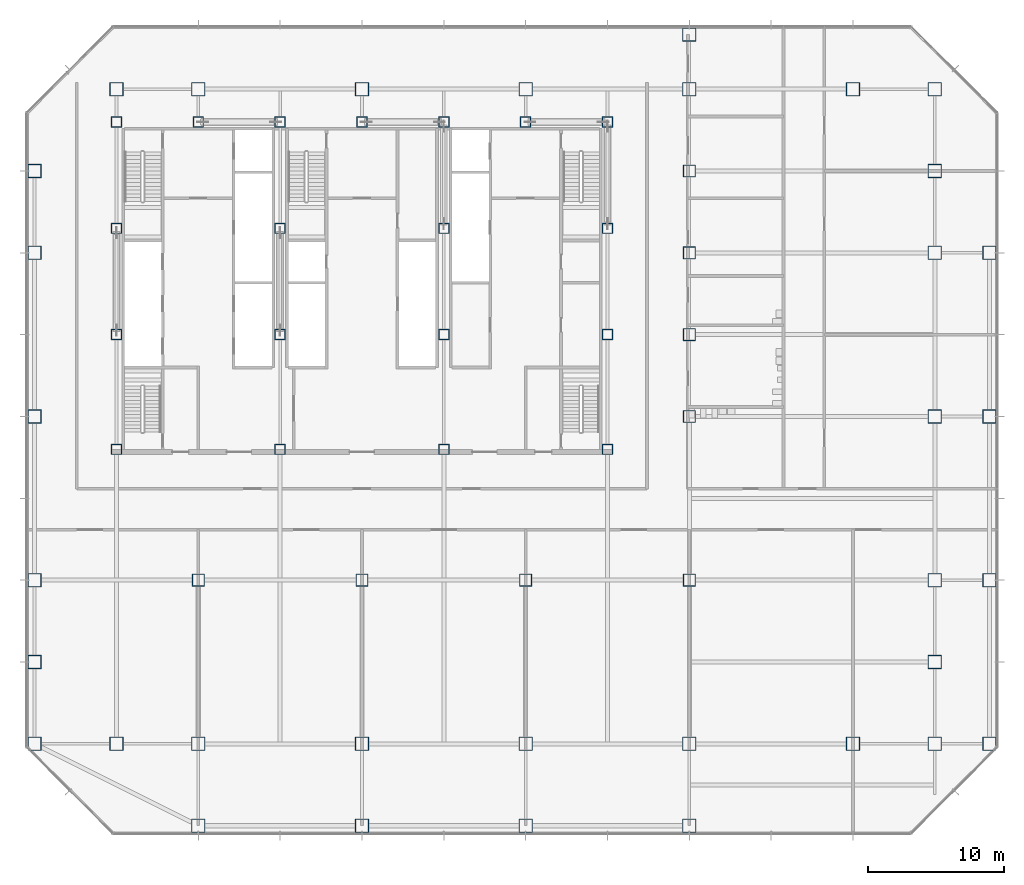
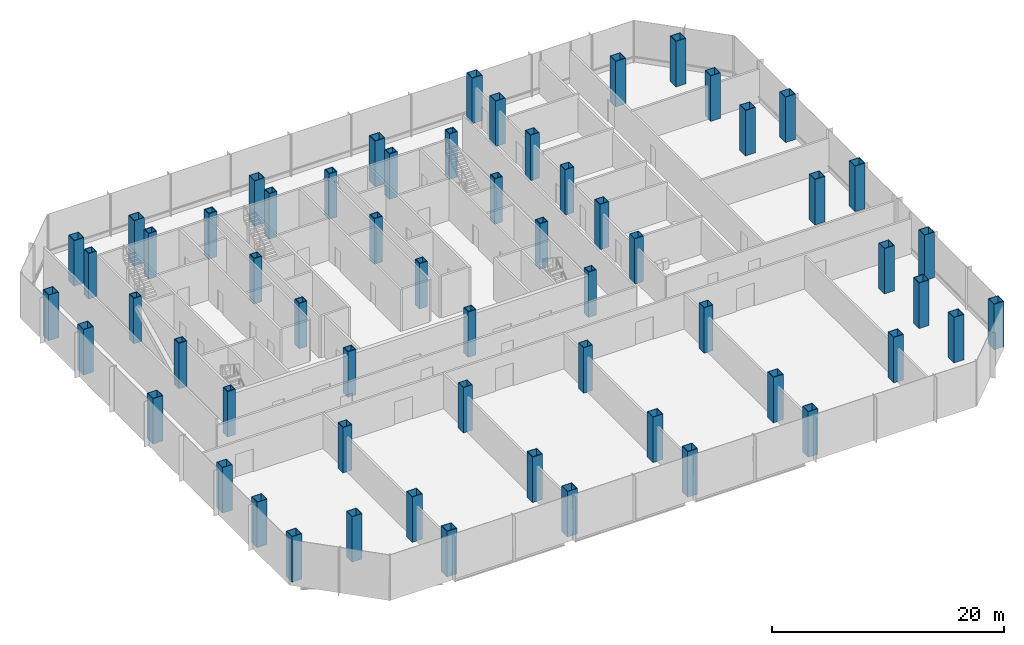
# One storey, part 1 of 33: 61 columns.
"""IFC4 building model written with IfcOpenShell, lengths in metres."""

from ifc_helpers import new_model, si_unit, direction, frame, origin, origin_2d, place, context, subcontext, project, spatial, hollow_rectangle, extrude, material, material_profile, profile_set, type_object, element, save


model = new_model("IFC4")

# Units and contexts
model_context = context("Model", 3, precision=1e-05, world=origin(), true_north=direction((0.0, 1.0)))
body_context = subcontext(model_context, "Body", "Model", "MODEL_VIEW")
ifc_project = project(units=[si_unit("LENGTHUNIT", "METRE"), si_unit("AREAUNIT", "SQUARE_METRE"), si_unit("VOLUMEUNIT", "CUBIC_METRE"), si_unit("PLANEANGLEUNIT", "RADIAN"), si_unit("MASSUNIT", "GRAM", prefix="KILO")], contexts=[model_context])

# Site, building, storey
site_placement = place(None, origin())
site = spatial("IfcSite", under=ifc_project, at=site_placement, CompositionType="ELEMENT")
building_placement = place(site_placement, origin())
building = spatial("IfcBuilding", under=site, at=building_placement, Name="Sorahane Residences", CompositionType="ELEMENT")
storey_placement = place(building_placement, frame((0.0, 0.0, 30.0)))
storey = spatial("IfcBuildingStorey", under=building, at=storey_placement, Name="L04", CompositionType="ELEMENT", Elevation=30.0)

# Columns
ifc_material_1 = material(Name="Steel Q420GJ", Category="steel")
ifc_material_profile_1 = material_profile(ifc_material_1, hollow_rectangle(XDim=1.0, YDim=1.0, WallThickness=0.050048828125, at=origin_2d()), Name="BOX 1000x1000x50")
ifc_profile_set_1 = profile_set([ifc_material_profile_1], Name="Steel Q420GJ")
column_type_1 = type_object("IfcColumnType", Name="Steel box column BOX 1000x1000x50 Q420GJ", PredefinedType="COLUMN", material=ifc_profile_set_1)
for number, where, z_axis, x_axis, name in (
    (1, (0.0, 0.0, 0.0), (0.0, 0.0, 1.0), (1.0, 0.0, 0.0), "Column L04 0/0"),
    (2, (0.0, 6.0, 0.0), (0.0, 0.0, 1.0), (1.0, 0.0, 0.0), "Column L04 m0/6"),
    (3, (0.0, 12.0, 0.0), (0.0, 0.0, 1.0), (1.0, 0.0, 0.0), "Column L04 m0/12"),
    (4, (0.0, 24.0, 0.0), (0.0, 0.0, 1.0), (1.0, 0.0, 0.0), "Column L04 m0/24"),
    (5, (0.0, 36.0, 0.0), (0.0, 0.0, 1.0), (1.0, 0.0, 0.0), "Column L04 m0/36"),
    (6, (0.0, 42.0, 0.0), (0.0, 0.0, 1.0), (1.0, 0.0, 0.0), "Column L04 m0/42"),
    (7, (6.0, 0.0, 0.0), (0.0, 0.0, 1.0), (1.0, 0.0, 0.0), "Column L04 6/0"),
    (8, (6.0, 48.0, 0.0), (0.0, 0.0, 1.0), (1.0, 0.0, 0.0), "Column L04 6/48"),
    (9, (12.0, -6.0, 0.0), (0.0, 0.0, 1.0), (1.0, 0.0, 0.0), "Column L04 12/m6"),
    (10, (12.0, 0.0, 0.0), (0.0, 0.0, 1.0), (1.0, 0.0, 0.0), "Column L04 12/0"),
    (11, (12.0, 48.0, 0.0), (0.0, 0.0, 1.0), (1.0, 0.0, 0.0), "Column L04 12/48"),
    (12, (24.0, -6.0, 0.0), (0.0, 0.0, 1.0), (1.0, 0.0, 0.0), "Column L04 24/m6"),
    (13, (24.0, 0.0, 0.0), (0.0, 0.0, 1.0), (1.0, 0.0, 0.0), "Column L04 24/0"),
    (14, (24.0, 48.0, 0.0), (0.0, 0.0, 1.0), (1.0, 0.0, 0.0), "Column L04 24/48"),
    (15, (36.0, -6.0, 0.0), (0.0, 0.0, 1.0), (1.0, 0.0, 0.0), "Column L04 36/m6"),
    (16, (36.0, 0.0, 0.0), (0.0, 0.0, 1.0), (1.0, 0.0, 0.0), "Column L04 36/0"),
    (17, (36.0, 48.0, 0.0), (0.0, 0.0, 1.0), (1.0, 0.0, 0.0), "Column L04 36/48"),
    (18, (48.0, -6.0, 0.0), (0.0, 0.0, 1.0), (1.0, 0.0, 0.0), "Column L04 48/m6"),
    (19, (48.0, 0.0, 0.0), (0.0, 0.0, 1.0), (1.0, 0.0, 0.0), "Column L04 48/0"),
    (20, (48.0, 48.0, 0.0), (0.0, 0.0, 1.0), (1.0, 0.0, 0.0), "Column L04 48/48"),
    (21, (48.0, 52.0, 0.0), (0.0, 0.0, 1.0), (1.0, 0.0, 0.0), "Column L04 48/52"),
    (22, (60.0, 0.0, 0.0), (0.0, 0.0, 1.0), (1.0, 0.0, 0.0), "Column L04 60/0"),
    (23, (60.0, 48.0, 0.0), (0.0, 0.0, 1.0), (1.0, 0.0, 0.0), "Column L04 60/48"),
    (24, (66.0, 0.0, 0.0), (0.0, 0.0, 1.0), (1.0, 0.0, 0.0), "Column L04 66/0"),
    (25, (66.0, 6.0, 0.0), (0.0, 0.0, 1.0), (1.0, 0.0, 0.0), "Column L04 66/6"),
    (26, (66.0, 12.0, 0.0), (0.0, 0.0, 1.0), (1.0, 0.0, 0.0), "Column L04 66/12"),
    (27, (66.0, 24.0, 0.0), (0.0, 0.0, 1.0), (1.0, 0.0, 0.0), "Column L04 66/24"),
    (28, (66.0, 36.0, 0.0), (0.0, 0.0, 1.0), (1.0, 0.0, 0.0), "Column L04 66/36"),
    (29, (66.0, 42.0, 0.0), (0.0, 0.0, 1.0), (1.0, 0.0, 0.0), "Column L04 66/42"),
    (30, (66.0, 48.0, 0.0), (0.0, 0.0, 1.0), (1.0, 0.0, 0.0), "Column L04 66/48"),
    (31, (70.0, 0.0, 0.0), (0.0, 0.0, 1.0), (1.0, 0.0, 0.0), "Column L04 70/0"),
    (32, (70.0, 12.0, 0.0), (0.0, 0.0, 1.0), (1.0, 0.0, 0.0), "Column L04 70/12"),
    (33, (70.0, 24.0, 0.0), (0.0, 0.0, 1.0), (1.0, 0.0, 0.0), "Column L04 70/24"),
    (34, (70.0, 36.0, 0.0), (0.0, 0.0, 1.0), (1.0, 0.0, 0.0), "Column L04 70/36"),
):
    element("IfcColumn", number, at=place(storey_placement, frame(where, z_axis=z_axis, x_axis=x_axis)), inside=storey, type_object=column_type_1, Name=name, PredefinedType="COLUMN", context=body_context, shape_type="SweptSolid", body=[
        extrude(hollow_rectangle(XDim=1.0, YDim=1.0, WallThickness=0.050048828125, at=origin_2d()), origin(), (0.0, 0.0, 1.0), 4.800048828125),
    ])
ifc_material_2 = material(Name="Steel Q420GJ", Category="steel")
ifc_material_profile_2 = material_profile(ifc_material_2, hollow_rectangle(XDim=0.800048828125, YDim=0.800048828125, WallThickness=0.070068359375, at=origin_2d()), Name="BOX 800x800x70")
ifc_profile_set_2 = profile_set([ifc_material_profile_2], Name="Steel Q420GJ")
column_type_2 = type_object("IfcColumnType", Name="Steel box column BOX 800x800x70 Q420GJ", PredefinedType="COLUMN", material=ifc_profile_set_2)
for number, where, z_axis, x_axis, name in (
    (35, (6.0, 21.60009765625, 0.0), (0.0, 0.0, 1.0), (1.0, 0.0, 0.0), "Column L04 6/21.6"),
    (36, (6.0, 30.0, 0.0), (0.0, 0.0, 1.0), (1.0, 0.0, 0.0), "Column L04 6/30"),
    (37, (6.0, 37.800048828125, 0.0), (0.0, 0.0, 1.0), (1.0, 0.0, 0.0), "Column L04 6/37.8"),
    (38, (6.0, 45.60009765625, 0.0), (0.0, 0.0, 1.0), (1.0, 0.0, 0.0), "Column L04 6/45.6"),
    (39, (12.0, 45.60009765625, 0.0), (0.0, 0.0, 1.0), (1.0, 0.0, 0.0), "Column L04 12/45.6"),
    (40, (18.0, 21.60009765625, 0.0), (0.0, 0.0, 1.0), (1.0, 0.0, 0.0), "Column L04 18/21.6"),
    (41, (18.0, 30.0, 0.0), (0.0, 0.0, 1.0), (1.0, 0.0, 0.0), "Column L04 18/30"),
    (42, (18.0, 37.800048828125, 0.0), (0.0, 0.0, 1.0), (1.0, 0.0, 0.0), "Column L04 18/37.8"),
    (43, (18.0, 45.60009765625, 0.0), (0.0, 0.0, 1.0), (1.0, 0.0, 0.0), "Column L04 18/45.6"),
    (44, (24.0, 45.60009765625, 0.0), (0.0, 0.0, 1.0), (1.0, 0.0, 0.0), "Column L04 24/45.6"),
    (45, (30.0, 21.60009765625, 0.0), (0.0, 0.0, 1.0), (1.0, 0.0, 0.0), "Column L04 30/21.6"),
    (46, (30.0, 30.0, 0.0), (0.0, 0.0, 1.0), (1.0, 0.0, 0.0), "Column L04 30/30"),
    (47, (30.0, 37.800048828125, 0.0), (0.0, 0.0, 1.0), (1.0, 0.0, 0.0), "Column L04 30/37.8"),
    (48, (30.0, 45.60009765625, 0.0), (0.0, 0.0, 1.0), (1.0, 0.0, 0.0), "Column L04 30/45.6"),
    (49, (36.0, 45.60009765625, 0.0), (0.0, 0.0, 1.0), (1.0, 0.0, 0.0), "Column L04 36/45.6"),
    (50, (42.0, 21.60009765625, 0.0), (0.0, 0.0, 1.0), (1.0, 0.0, 0.0), "Column L04 42/21.6"),
    (51, (42.0, 30.0, 0.0), (0.0, 0.0, 1.0), (1.0, 0.0, 0.0), "Column L04 42/30"),
    (52, (42.0, 37.800048828125, 0.0), (0.0, 0.0, 1.0), (1.0, 0.0, 0.0), "Column L04 42/37.8"),
    (53, (42.0, 45.60009765625, 0.0), (0.0, 0.0, 1.0), (1.0, 0.0, 0.0), "Column L04 42/45.6"),
):
    element("IfcColumn", number, at=place(storey_placement, frame(where, z_axis=z_axis, x_axis=x_axis)), inside=storey, type_object=column_type_2, Name=name, PredefinedType="COLUMN", context=body_context, shape_type="SweptSolid", body=[
        extrude(hollow_rectangle(XDim=0.800048828125, YDim=0.800048828125, WallThickness=0.070068359375, at=origin_2d()), origin(), (0.0, 0.0, 1.0), 4.800048828125),
    ])
ifc_material_3 = material(Name="Steel Q420GJ", Category="steel")
ifc_material_profile_3 = material_profile(ifc_material_3, hollow_rectangle(XDim=0.89990234375, YDim=0.89990234375, WallThickness=0.044921875, at=origin_2d()), Name="BOX 900x900x45")
ifc_profile_set_3 = profile_set([ifc_material_profile_3], Name="Steel Q420GJ")
column_type_3 = type_object("IfcColumnType", Name="Steel box column BOX 900x900x45 Q420GJ", PredefinedType="COLUMN", material=ifc_profile_set_3)
for number, where, z_axis, x_axis, name in (
    (54, (12.0, 12.0, 0.0), (0.0, 0.0, 1.0), (1.0, 0.0, 0.0), "Column L04 12/12"),
    (55, (24.0, 12.0, 0.0), (0.0, 0.0, 1.0), (1.0, 0.0, 0.0), "Column L04 24/12"),
    (56, (36.0, 12.0, 0.0), (0.0, 0.0, 1.0), (1.0, 0.0, 0.0), "Column L04 36/12"),
    (57, (48.0, 12.0, 0.0), (0.0, 0.0, 1.0), (1.0, 0.0, 0.0), "Column L04 48/12"),
    (58, (48.0, 24.0, 0.0), (0.0, 0.0, 1.0), (1.0, 0.0, 0.0), "Column L04 48/24"),
    (59, (48.0, 30.0, 0.0), (0.0, 0.0, 1.0), (1.0, 0.0, 0.0), "Column L04 48/30"),
    (60, (48.0, 36.0, 0.0), (0.0, 0.0, 1.0), (1.0, 0.0, 0.0), "Column L04 48/36"),
    (61, (48.0, 42.0, 0.0), (0.0, 0.0, 1.0), (1.0, 0.0, 0.0), "Column L04 48/42"),
):
    element("IfcColumn", number, at=place(storey_placement, frame(where, z_axis=z_axis, x_axis=x_axis)), inside=storey, type_object=column_type_3, Name=name, PredefinedType="COLUMN", context=body_context, shape_type="SweptSolid", body=[
        extrude(hollow_rectangle(XDim=0.89990234375, YDim=0.89990234375, WallThickness=0.044921875, at=origin_2d()), origin(), (0.0, 0.0, 1.0), 4.800048828125),
    ])

save(model, "model.ifc")
